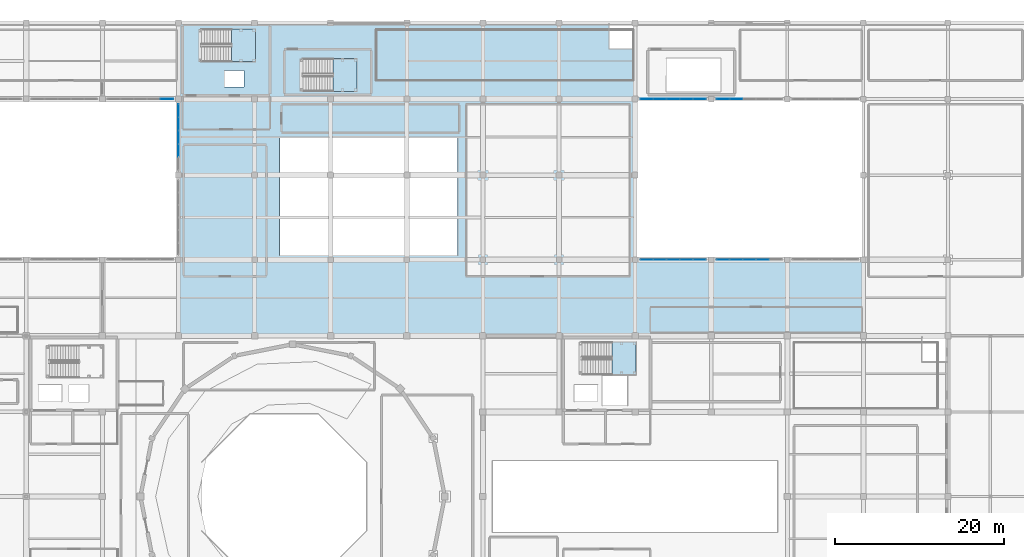
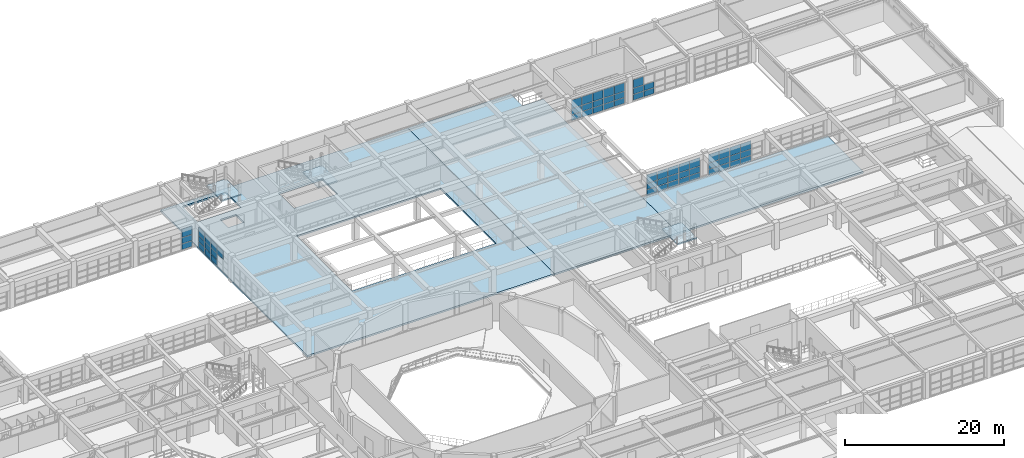
# One storey, part 97 of 130: 60 plates, 6 slabs, 9 elements without a shape of their own.
"""IFC4 building model written with IfcOpenShell, lengths in metres."""

from ifc_helpers import new_model, si_unit, direction, frame, origin, origin_2d, place, context, subcontext, project, spatial, polyline, rectangle, outline, extrude, material, layer, layer_set, type_object, element, aggregate, save


model = new_model("IFC4")

# Units and contexts
model_context = context("Model", 3, precision=1e-05, world=origin(), true_north=direction((0.0, 1.0)))
body_context = subcontext(model_context, "Body", "Model", "MODEL_VIEW")
ifc_project = project(units=[si_unit("LENGTHUNIT", "METRE"), si_unit("AREAUNIT", "SQUARE_METRE"), si_unit("VOLUMEUNIT", "CUBIC_METRE"), si_unit("PLANEANGLEUNIT", "RADIAN"), si_unit("MASSUNIT", "GRAM", prefix="KILO")], contexts=[model_context])

# Site, building, storey
site_placement = place(None, origin())
site = spatial("IfcSite", under=ifc_project, at=site_placement, CompositionType="ELEMENT")
building_placement = place(site_placement, origin())
building = spatial("IfcBuilding", under=site, at=building_placement, Name="Miravela Opera House", CompositionType="ELEMENT")
storey_placement = place(building_placement, frame((0.0, 0.0, 9.52001953125)))
storey = spatial("IfcBuildingStorey", under=building, at=storey_placement, Name="L02", CompositionType="ELEMENT", Elevation=9.52001953125)

# Curtain wall, plates
ifc_material_1 = material(Name="Anodised architectural bronze aluminium 6063-T6", Category="aluminium")
curtain_wall_type = type_object("IfcCurtainWallType", Name="ARC-CW-05", PredefinedType="NOTDEFINED", material=ifc_material_1)
curtain_wall_1_placement = place(storey_placement, origin())
curtain_wall_1 = element("IfcCurtainWall", 1, at=curtain_wall_1_placement, inside=storey, type_object=curtain_wall_type, Name="Courtyard Arcade Curtain Wall CW-L02-096", PredefinedType="NOTDEFINED")
ifc_material_2 = material(Name="Acoustic laminated low-E insulating glass", Category="glass")
ifc_layer_1 = layer(ifc_material_2, 0.028076171875)
ifc_layer_set_1 = layer_set([ifc_layer_1])
plate_type = type_object("IfcPlateType", Name="ARC-CWP-28", PredefinedType="CURTAIN_PANEL", material=ifc_layer_set_1)
plate_1_placement = place(storey_placement, frame((61.62109375, 103.0, 0.06005859375), z_axis=(0.0, 0.0, 1.0), x_axis=(1.0, 0.0, 0.0)))
plate_1 = element("IfcPlate", 2, at=plate_1_placement, type_object=plate_type, Name="CW-05 panel 5.1", PredefinedType="CURTAIN_PANEL", context=body_context, shape_type="SweptSolid", body=[
    extrude(rectangle(XDim=1.47802734375, YDim=0.028076171875, at=origin_2d()), origin(), (0.0, 0.0, 1.0), 0.860107421875),
])
plate_2_placement = place(storey_placement, frame((61.62109375, 103.0, 0.97998046875), z_axis=(0.0, 0.0, 1.0), x_axis=(1.0, 0.0, 0.0)))
plate_2 = element("IfcPlate", 3, at=plate_2_placement, type_object=plate_type, Name="CW-05 panel 5.2", PredefinedType="CURTAIN_PANEL", context=body_context, shape_type="SweptSolid", body=[
    extrude(rectangle(XDim=1.47802734375, YDim=0.028076171875, at=origin_2d()), origin(), (0.0, 0.0, 1.0), 0.898193359375),
])
plate_3_placement = place(storey_placement, frame((61.62109375, 103.0, 1.93798828125), z_axis=(0.0, 0.0, 1.0), x_axis=(1.0, 0.0, 0.0)))
plate_3 = element("IfcPlate", 4, at=plate_3_placement, type_object=plate_type, Name="CW-05 panel 5.3", PredefinedType="CURTAIN_PANEL", context=body_context, shape_type="SweptSolid", body=[
    extrude(rectangle(XDim=1.47802734375, YDim=0.028076171875, at=origin_2d()), origin(), (0.0, 0.0, 1.0), 1.291748046875),
])
aggregate(curtain_wall_1, [plate_1, plate_2, plate_3])

curtain_wall_2_placement = place(storey_placement, origin())
curtain_wall_2 = element("IfcCurtainWall", 5, at=curtain_wall_2_placement, inside=storey, type_object=curtain_wall_type, Name="Courtyard Arcade Curtain Wall CW-L02-100", PredefinedType="NOTDEFINED")
plate_4_placement = place(storey_placement, frame((63.0, 96.931884765625, 1.93798828125), z_axis=(0.0, 0.0, 1.0), x_axis=(0.0, 1.0, 0.0)))
plate_4 = element("IfcPlate", 6, at=plate_4_placement, type_object=plate_type, Name="CW-05 panel 2.3", PredefinedType="CURTAIN_PANEL", context=body_context, shape_type="SweptSolid", body=[
    extrude(rectangle(XDim=1.508056640625, YDim=0.028076171875, at=origin_2d()), origin(), (0.0, 0.0, 1.0), 1.291748046875),
])
plate_5_placement = place(storey_placement, frame((63.0, 98.5, 0.06005859375), z_axis=(0.0, 0.0, 1.0), x_axis=(0.0, 1.0, 0.0)))
plate_5 = element("IfcPlate", 7, at=plate_5_placement, type_object=plate_type, Name="CW-05 panel 3.1", PredefinedType="CURTAIN_PANEL", context=body_context, shape_type="SweptSolid", body=[
    extrude(rectangle(XDim=1.508056640625, YDim=0.028076171875, at=origin_2d()), origin(), (0.0, 0.0, 1.0), 0.860107421875),
])
plate_6_placement = place(storey_placement, frame((63.0, 98.5, 0.97998046875), z_axis=(0.0, 0.0, 1.0), x_axis=(0.0, 1.0, 0.0)))
plate_6 = element("IfcPlate", 8, at=plate_6_placement, type_object=plate_type, Name="CW-05 panel 3.2", PredefinedType="CURTAIN_PANEL", context=body_context, shape_type="SweptSolid", body=[
    extrude(rectangle(XDim=1.508056640625, YDim=0.028076171875, at=origin_2d()), origin(), (0.0, 0.0, 1.0), 0.898193359375),
])
plate_7_placement = place(storey_placement, frame((63.0, 98.5, 1.93798828125), z_axis=(0.0, 0.0, 1.0), x_axis=(0.0, 1.0, 0.0)))
plate_7 = element("IfcPlate", 9, at=plate_7_placement, type_object=plate_type, Name="CW-05 panel 3.3", PredefinedType="CURTAIN_PANEL", context=body_context, shape_type="SweptSolid", body=[
    extrude(rectangle(XDim=1.508056640625, YDim=0.028076171875, at=origin_2d()), origin(), (0.0, 0.0, 1.0), 1.291748046875),
])
plate_8_placement = place(storey_placement, frame((63.0, 100.068115234375, 0.06005859375), z_axis=(0.0, 0.0, 1.0), x_axis=(0.0, 1.0, 0.0)))
plate_8 = element("IfcPlate", 10, at=plate_8_placement, type_object=plate_type, Name="CW-05 panel 4.1", PredefinedType="CURTAIN_PANEL", context=body_context, shape_type="SweptSolid", body=[
    extrude(rectangle(XDim=1.508056640625, YDim=0.028076171875, at=origin_2d()), origin(), (0.0, 0.0, 1.0), 0.860107421875),
])
plate_9_placement = place(storey_placement, frame((63.0, 100.068115234375, 0.97998046875), z_axis=(0.0, 0.0, 1.0), x_axis=(0.0, 1.0, 0.0)))
plate_9 = element("IfcPlate", 11, at=plate_9_placement, type_object=plate_type, Name="CW-05 panel 4.2", PredefinedType="CURTAIN_PANEL", context=body_context, shape_type="SweptSolid", body=[
    extrude(rectangle(XDim=1.508056640625, YDim=0.028076171875, at=origin_2d()), origin(), (0.0, 0.0, 1.0), 0.898193359375),
])
plate_10_placement = place(storey_placement, frame((63.0, 100.068115234375, 1.93798828125), z_axis=(0.0, 0.0, 1.0), x_axis=(0.0, 1.0, 0.0)))
plate_10 = element("IfcPlate", 12, at=plate_10_placement, type_object=plate_type, Name="CW-05 panel 4.3", PredefinedType="CURTAIN_PANEL", context=body_context, shape_type="SweptSolid", body=[
    extrude(rectangle(XDim=1.508056640625, YDim=0.028076171875, at=origin_2d()), origin(), (0.0, 0.0, 1.0), 1.291748046875),
])
plate_11_placement = place(storey_placement, frame((63.0, 101.62109375, 0.06005859375), z_axis=(0.0, 0.0, 1.0), x_axis=(0.0, 1.0, 0.0)))
plate_11 = element("IfcPlate", 13, at=plate_11_placement, type_object=plate_type, Name="CW-05 panel 5.1", PredefinedType="CURTAIN_PANEL", context=body_context, shape_type="SweptSolid", body=[
    extrude(rectangle(XDim=1.47802734375, YDim=0.028076171875, at=origin_2d()), origin(), (0.0, 0.0, 1.0), 0.860107421875),
])
plate_12_placement = place(storey_placement, frame((63.0, 101.62109375, 0.97998046875), z_axis=(0.0, 0.0, 1.0), x_axis=(0.0, 1.0, 0.0)))
plate_12 = element("IfcPlate", 14, at=plate_12_placement, type_object=plate_type, Name="CW-05 panel 5.2", PredefinedType="CURTAIN_PANEL", context=body_context, shape_type="SweptSolid", body=[
    extrude(rectangle(XDim=1.47802734375, YDim=0.028076171875, at=origin_2d()), origin(), (0.0, 0.0, 1.0), 0.898193359375),
])
plate_13_placement = place(storey_placement, frame((63.0, 101.62109375, 1.93798828125), z_axis=(0.0, 0.0, 1.0), x_axis=(0.0, 1.0, 0.0)))
plate_13 = element("IfcPlate", 15, at=plate_13_placement, type_object=plate_type, Name="CW-05 panel 5.3", PredefinedType="CURTAIN_PANEL", context=body_context, shape_type="SweptSolid", body=[
    extrude(rectangle(XDim=1.47802734375, YDim=0.028076171875, at=origin_2d()), origin(), (0.0, 0.0, 1.0), 1.291748046875),
])
aggregate(curtain_wall_2, [plate_4, plate_5, plate_6, plate_7, plate_8, plate_9, plate_10, plate_11, plate_12, plate_13])

curtain_wall_3_placement = place(storey_placement, origin())
curtain_wall_3 = element("IfcCurtainWall", 16, at=curtain_wall_3_placement, inside=storey, type_object=curtain_wall_type, Name="Courtyard Arcade Curtain Wall CW-L02-180", PredefinedType="NOTDEFINED")
plate_14_placement = place(storey_placement, frame((118.37890625, 84.0, 0.06005859375), z_axis=(0.0, 0.0, 1.0), x_axis=(1.0, 0.0, 0.0)))
plate_14 = element("IfcPlate", 17, at=plate_14_placement, type_object=plate_type, Name="CW-05 panel 1.1", PredefinedType="CURTAIN_PANEL", context=body_context, shape_type="SweptSolid", body=[
    extrude(rectangle(XDim=1.47802734375, YDim=0.028076171875, at=origin_2d()), origin(), (0.0, 0.0, 1.0), 0.860107421875),
])
plate_15_placement = place(storey_placement, frame((118.37890625, 84.0, 0.97998046875), z_axis=(0.0, 0.0, 1.0), x_axis=(1.0, 0.0, 0.0)))
plate_15 = element("IfcPlate", 18, at=plate_15_placement, type_object=plate_type, Name="CW-05 panel 1.2", PredefinedType="CURTAIN_PANEL", context=body_context, shape_type="SweptSolid", body=[
    extrude(rectangle(XDim=1.47802734375, YDim=0.028076171875, at=origin_2d()), origin(), (0.0, 0.0, 1.0), 0.898193359375),
])
plate_16_placement = place(storey_placement, frame((118.37890625, 84.0, 1.93798828125), z_axis=(0.0, 0.0, 1.0), x_axis=(1.0, 0.0, 0.0)))
plate_16 = element("IfcPlate", 19, at=plate_16_placement, type_object=plate_type, Name="CW-05 panel 1.3", PredefinedType="CURTAIN_PANEL", context=body_context, shape_type="SweptSolid", body=[
    extrude(rectangle(XDim=1.47802734375, YDim=0.028076171875, at=origin_2d()), origin(), (0.0, 0.0, 1.0), 1.291748046875),
])
plate_17_placement = place(storey_placement, frame((119.931884765625, 84.0, 0.06005859375), z_axis=(0.0, 0.0, 1.0), x_axis=(1.0, 0.0, 0.0)))
plate_17 = element("IfcPlate", 20, at=plate_17_placement, type_object=plate_type, Name="CW-05 panel 2.1", PredefinedType="CURTAIN_PANEL", context=body_context, shape_type="SweptSolid", body=[
    extrude(rectangle(XDim=1.508056640625, YDim=0.028076171875, at=origin_2d()), origin(), (0.0, 0.0, 1.0), 0.860107421875),
])
plate_18_placement = place(storey_placement, frame((119.931884765625, 84.0, 0.97998046875), z_axis=(0.0, 0.0, 1.0), x_axis=(1.0, 0.0, 0.0)))
plate_18 = element("IfcPlate", 21, at=plate_18_placement, type_object=plate_type, Name="CW-05 panel 2.2", PredefinedType="CURTAIN_PANEL", context=body_context, shape_type="SweptSolid", body=[
    extrude(rectangle(XDim=1.508056640625, YDim=0.028076171875, at=origin_2d()), origin(), (0.0, 0.0, 1.0), 0.898193359375),
])
plate_19_placement = place(storey_placement, frame((119.931884765625, 84.0, 1.93798828125), z_axis=(0.0, 0.0, 1.0), x_axis=(1.0, 0.0, 0.0)))
plate_19 = element("IfcPlate", 22, at=plate_19_placement, type_object=plate_type, Name="CW-05 panel 2.3", PredefinedType="CURTAIN_PANEL", context=body_context, shape_type="SweptSolid", body=[
    extrude(rectangle(XDim=1.508056640625, YDim=0.028076171875, at=origin_2d()), origin(), (0.0, 0.0, 1.0), 1.291748046875),
])
plate_20_placement = place(storey_placement, frame((121.5, 84.0, 0.06005859375), z_axis=(0.0, 0.0, 1.0), x_axis=(1.0, 0.0, 0.0)))
plate_20 = element("IfcPlate", 23, at=plate_20_placement, type_object=plate_type, Name="CW-05 panel 3.1", PredefinedType="CURTAIN_PANEL", context=body_context, shape_type="SweptSolid", body=[
    extrude(rectangle(XDim=1.508056640625, YDim=0.028076171875, at=origin_2d()), origin(), (0.0, 0.0, 1.0), 0.860107421875),
])
plate_21_placement = place(storey_placement, frame((121.5, 84.0, 0.97998046875), z_axis=(0.0, 0.0, 1.0), x_axis=(1.0, 0.0, 0.0)))
plate_21 = element("IfcPlate", 24, at=plate_21_placement, type_object=plate_type, Name="CW-05 panel 3.2", PredefinedType="CURTAIN_PANEL", context=body_context, shape_type="SweptSolid", body=[
    extrude(rectangle(XDim=1.508056640625, YDim=0.028076171875, at=origin_2d()), origin(), (0.0, 0.0, 1.0), 0.898193359375),
])
plate_22_placement = place(storey_placement, frame((121.5, 84.0, 1.93798828125), z_axis=(0.0, 0.0, 1.0), x_axis=(1.0, 0.0, 0.0)))
plate_22 = element("IfcPlate", 25, at=plate_22_placement, type_object=plate_type, Name="CW-05 panel 3.3", PredefinedType="CURTAIN_PANEL", context=body_context, shape_type="SweptSolid", body=[
    extrude(rectangle(XDim=1.508056640625, YDim=0.028076171875, at=origin_2d()), origin(), (0.0, 0.0, 1.0), 1.291748046875),
])
plate_23_placement = place(storey_placement, frame((123.068115234375, 84.0, 0.06005859375), z_axis=(0.0, 0.0, 1.0), x_axis=(1.0, 0.0, 0.0)))
plate_23 = element("IfcPlate", 26, at=plate_23_placement, type_object=plate_type, Name="CW-05 panel 4.1", PredefinedType="CURTAIN_PANEL", context=body_context, shape_type="SweptSolid", body=[
    extrude(rectangle(XDim=1.508056640625, YDim=0.028076171875, at=origin_2d()), origin(), (0.0, 0.0, 1.0), 0.860107421875),
])
plate_24_placement = place(storey_placement, frame((123.068115234375, 84.0, 0.97998046875), z_axis=(0.0, 0.0, 1.0), x_axis=(1.0, 0.0, 0.0)))
plate_24 = element("IfcPlate", 27, at=plate_24_placement, type_object=plate_type, Name="CW-05 panel 4.2", PredefinedType="CURTAIN_PANEL", context=body_context, shape_type="SweptSolid", body=[
    extrude(rectangle(XDim=1.508056640625, YDim=0.028076171875, at=origin_2d()), origin(), (0.0, 0.0, 1.0), 0.898193359375),
])
plate_25_placement = place(storey_placement, frame((123.068115234375, 84.0, 1.93798828125), z_axis=(0.0, 0.0, 1.0), x_axis=(1.0, 0.0, 0.0)))
plate_25 = element("IfcPlate", 28, at=plate_25_placement, type_object=plate_type, Name="CW-05 panel 4.3", PredefinedType="CURTAIN_PANEL", context=body_context, shape_type="SweptSolid", body=[
    extrude(rectangle(XDim=1.508056640625, YDim=0.028076171875, at=origin_2d()), origin(), (0.0, 0.0, 1.0), 1.291748046875),
])
plate_26_placement = place(storey_placement, frame((124.62109375, 84.0, 0.06005859375), z_axis=(0.0, 0.0, 1.0), x_axis=(1.0, 0.0, 0.0)))
plate_26 = element("IfcPlate", 29, at=plate_26_placement, type_object=plate_type, Name="CW-05 panel 5.1", PredefinedType="CURTAIN_PANEL", context=body_context, shape_type="SweptSolid", body=[
    extrude(rectangle(XDim=1.47802734375, YDim=0.028076171875, at=origin_2d()), origin(), (0.0, 0.0, 1.0), 0.860107421875),
])
plate_27_placement = place(storey_placement, frame((124.62109375, 84.0, 0.97998046875), z_axis=(0.0, 0.0, 1.0), x_axis=(1.0, 0.0, 0.0)))
plate_27 = element("IfcPlate", 30, at=plate_27_placement, type_object=plate_type, Name="CW-05 panel 5.2", PredefinedType="CURTAIN_PANEL", context=body_context, shape_type="SweptSolid", body=[
    extrude(rectangle(XDim=1.47802734375, YDim=0.028076171875, at=origin_2d()), origin(), (0.0, 0.0, 1.0), 0.898193359375),
])
plate_28_placement = place(storey_placement, frame((124.62109375, 84.0, 1.93798828125), z_axis=(0.0, 0.0, 1.0), x_axis=(1.0, 0.0, 0.0)))
plate_28 = element("IfcPlate", 31, at=plate_28_placement, type_object=plate_type, Name="CW-05 panel 5.3", PredefinedType="CURTAIN_PANEL", context=body_context, shape_type="SweptSolid", body=[
    extrude(rectangle(XDim=1.47802734375, YDim=0.028076171875, at=origin_2d()), origin(), (0.0, 0.0, 1.0), 1.291748046875),
])
aggregate(curtain_wall_3, [plate_14, plate_15, plate_16, plate_17, plate_18, plate_19, plate_20, plate_21, plate_22, plate_23, plate_24, plate_25, plate_26, plate_27, plate_28])

curtain_wall_4_placement = place(storey_placement, origin())
curtain_wall_4 = element("IfcCurtainWall", 32, at=curtain_wall_4_placement, inside=storey, type_object=curtain_wall_type, Name="Courtyard Arcade Curtain Wall CW-L02-181", PredefinedType="NOTDEFINED")
plate_29_placement = place(storey_placement, frame((118.37890625, 103.0, 0.06005859375), z_axis=(0.0, 0.0, 1.0), x_axis=(1.0, 0.0, 0.0)))
plate_29 = element("IfcPlate", 33, at=plate_29_placement, type_object=plate_type, Name="CW-05 panel 1.1", PredefinedType="CURTAIN_PANEL", context=body_context, shape_type="SweptSolid", body=[
    extrude(rectangle(XDim=1.47802734375, YDim=0.028076171875, at=origin_2d()), origin(), (0.0, 0.0, 1.0), 0.860107421875),
])
plate_30_placement = place(storey_placement, frame((118.37890625, 103.0, 0.97998046875), z_axis=(0.0, 0.0, 1.0), x_axis=(1.0, 0.0, 0.0)))
plate_30 = element("IfcPlate", 34, at=plate_30_placement, type_object=plate_type, Name="CW-05 panel 1.2", PredefinedType="CURTAIN_PANEL", context=body_context, shape_type="SweptSolid", body=[
    extrude(rectangle(XDim=1.47802734375, YDim=0.028076171875, at=origin_2d()), origin(), (0.0, 0.0, 1.0), 0.898193359375),
])
plate_31_placement = place(storey_placement, frame((118.37890625, 103.0, 1.93798828125), z_axis=(0.0, 0.0, 1.0), x_axis=(1.0, 0.0, 0.0)))
plate_31 = element("IfcPlate", 35, at=plate_31_placement, type_object=plate_type, Name="CW-05 panel 1.3", PredefinedType="CURTAIN_PANEL", context=body_context, shape_type="SweptSolid", body=[
    extrude(rectangle(XDim=1.47802734375, YDim=0.028076171875, at=origin_2d()), origin(), (0.0, 0.0, 1.0), 1.291748046875),
])
plate_32_placement = place(storey_placement, frame((119.931884765625, 103.0, 0.06005859375), z_axis=(0.0, 0.0, 1.0), x_axis=(1.0, 0.0, 0.0)))
plate_32 = element("IfcPlate", 36, at=plate_32_placement, type_object=plate_type, Name="CW-05 panel 2.1", PredefinedType="CURTAIN_PANEL", context=body_context, shape_type="SweptSolid", body=[
    extrude(rectangle(XDim=1.508056640625, YDim=0.028076171875, at=origin_2d()), origin(), (0.0, 0.0, 1.0), 0.860107421875),
])
plate_33_placement = place(storey_placement, frame((119.931884765625, 103.0, 0.97998046875), z_axis=(0.0, 0.0, 1.0), x_axis=(1.0, 0.0, 0.0)))
plate_33 = element("IfcPlate", 37, at=plate_33_placement, type_object=plate_type, Name="CW-05 panel 2.2", PredefinedType="CURTAIN_PANEL", context=body_context, shape_type="SweptSolid", body=[
    extrude(rectangle(XDim=1.508056640625, YDim=0.028076171875, at=origin_2d()), origin(), (0.0, 0.0, 1.0), 0.898193359375),
])
plate_34_placement = place(storey_placement, frame((119.931884765625, 103.0, 1.93798828125), z_axis=(0.0, 0.0, 1.0), x_axis=(1.0, 0.0, 0.0)))
plate_34 = element("IfcPlate", 38, at=plate_34_placement, type_object=plate_type, Name="CW-05 panel 2.3", PredefinedType="CURTAIN_PANEL", context=body_context, shape_type="SweptSolid", body=[
    extrude(rectangle(XDim=1.508056640625, YDim=0.028076171875, at=origin_2d()), origin(), (0.0, 0.0, 1.0), 1.291748046875),
])
plate_35_placement = place(storey_placement, frame((121.5, 103.0, 0.06005859375), z_axis=(0.0, 0.0, 1.0), x_axis=(1.0, 0.0, 0.0)))
plate_35 = element("IfcPlate", 39, at=plate_35_placement, type_object=plate_type, Name="CW-05 panel 3.1", PredefinedType="CURTAIN_PANEL", context=body_context, shape_type="SweptSolid", body=[
    extrude(rectangle(XDim=1.508056640625, YDim=0.028076171875, at=origin_2d()), origin(), (0.0, 0.0, 1.0), 0.860107421875),
])
plate_36_placement = place(storey_placement, frame((121.5, 103.0, 0.97998046875), z_axis=(0.0, 0.0, 1.0), x_axis=(1.0, 0.0, 0.0)))
plate_36 = element("IfcPlate", 40, at=plate_36_placement, type_object=plate_type, Name="CW-05 panel 3.2", PredefinedType="CURTAIN_PANEL", context=body_context, shape_type="SweptSolid", body=[
    extrude(rectangle(XDim=1.508056640625, YDim=0.028076171875, at=origin_2d()), origin(), (0.0, 0.0, 1.0), 0.898193359375),
])
plate_37_placement = place(storey_placement, frame((121.5, 103.0, 1.93798828125), z_axis=(0.0, 0.0, 1.0), x_axis=(1.0, 0.0, 0.0)))
plate_37 = element("IfcPlate", 41, at=plate_37_placement, type_object=plate_type, Name="CW-05 panel 3.3", PredefinedType="CURTAIN_PANEL", context=body_context, shape_type="SweptSolid", body=[
    extrude(rectangle(XDim=1.508056640625, YDim=0.028076171875, at=origin_2d()), origin(), (0.0, 0.0, 1.0), 1.291748046875),
])
plate_38_placement = place(storey_placement, frame((123.068115234375, 103.0, 0.06005859375), z_axis=(0.0, 0.0, 1.0), x_axis=(1.0, 0.0, 0.0)))
plate_38 = element("IfcPlate", 42, at=plate_38_placement, type_object=plate_type, Name="CW-05 panel 4.1", PredefinedType="CURTAIN_PANEL", context=body_context, shape_type="SweptSolid", body=[
    extrude(rectangle(XDim=1.508056640625, YDim=0.028076171875, at=origin_2d()), origin(), (0.0, 0.0, 1.0), 0.860107421875),
])
plate_39_placement = place(storey_placement, frame((123.068115234375, 103.0, 0.97998046875), z_axis=(0.0, 0.0, 1.0), x_axis=(1.0, 0.0, 0.0)))
plate_39 = element("IfcPlate", 43, at=plate_39_placement, type_object=plate_type, Name="CW-05 panel 4.2", PredefinedType="CURTAIN_PANEL", context=body_context, shape_type="SweptSolid", body=[
    extrude(rectangle(XDim=1.508056640625, YDim=0.028076171875, at=origin_2d()), origin(), (0.0, 0.0, 1.0), 0.898193359375),
])
plate_40_placement = place(storey_placement, frame((123.068115234375, 103.0, 1.93798828125), z_axis=(0.0, 0.0, 1.0), x_axis=(1.0, 0.0, 0.0)))
plate_40 = element("IfcPlate", 44, at=plate_40_placement, type_object=plate_type, Name="CW-05 panel 4.3", PredefinedType="CURTAIN_PANEL", context=body_context, shape_type="SweptSolid", body=[
    extrude(rectangle(XDim=1.508056640625, YDim=0.028076171875, at=origin_2d()), origin(), (0.0, 0.0, 1.0), 1.291748046875),
])
plate_41_placement = place(storey_placement, frame((124.62109375, 103.0, 0.06005859375), z_axis=(0.0, 0.0, 1.0), x_axis=(1.0, 0.0, 0.0)))
plate_41 = element("IfcPlate", 45, at=plate_41_placement, type_object=plate_type, Name="CW-05 panel 5.1", PredefinedType="CURTAIN_PANEL", context=body_context, shape_type="SweptSolid", body=[
    extrude(rectangle(XDim=1.47802734375, YDim=0.028076171875, at=origin_2d()), origin(), (0.0, 0.0, 1.0), 0.860107421875),
])
plate_42_placement = place(storey_placement, frame((124.62109375, 103.0, 0.97998046875), z_axis=(0.0, 0.0, 1.0), x_axis=(1.0, 0.0, 0.0)))
plate_42 = element("IfcPlate", 46, at=plate_42_placement, type_object=plate_type, Name="CW-05 panel 5.2", PredefinedType="CURTAIN_PANEL", context=body_context, shape_type="SweptSolid", body=[
    extrude(rectangle(XDim=1.47802734375, YDim=0.028076171875, at=origin_2d()), origin(), (0.0, 0.0, 1.0), 0.898193359375),
])
plate_43_placement = place(storey_placement, frame((124.62109375, 103.0, 1.93798828125), z_axis=(0.0, 0.0, 1.0), x_axis=(1.0, 0.0, 0.0)))
plate_43 = element("IfcPlate", 47, at=plate_43_placement, type_object=plate_type, Name="CW-05 panel 5.3", PredefinedType="CURTAIN_PANEL", context=body_context, shape_type="SweptSolid", body=[
    extrude(rectangle(XDim=1.47802734375, YDim=0.028076171875, at=origin_2d()), origin(), (0.0, 0.0, 1.0), 1.291748046875),
])
aggregate(curtain_wall_4, [plate_29, plate_30, plate_31, plate_32, plate_33, plate_34, plate_35, plate_36, plate_37, plate_38, plate_39, plate_40, plate_41, plate_42, plate_43])

curtain_wall_5_placement = place(storey_placement, origin())
curtain_wall_5 = element("IfcCurtainWall", 48, at=curtain_wall_5_placement, inside=storey, type_object=curtain_wall_type, Name="Courtyard Arcade Curtain Wall CW-L02-184", PredefinedType="NOTDEFINED")
plate_44_placement = place(storey_placement, frame((127.37890625, 84.0, 0.06005859375), z_axis=(0.0, 0.0, 1.0), x_axis=(1.0, 0.0, 0.0)))
plate_44 = element("IfcPlate", 49, at=plate_44_placement, type_object=plate_type, Name="CW-05 panel 1.1", PredefinedType="CURTAIN_PANEL", context=body_context, shape_type="SweptSolid", body=[
    extrude(rectangle(XDim=1.47802734375, YDim=0.028076171875, at=origin_2d()), origin(), (0.0, 0.0, 1.0), 0.860107421875),
])
plate_45_placement = place(storey_placement, frame((127.37890625, 84.0, 0.97998046875), z_axis=(0.0, 0.0, 1.0), x_axis=(1.0, 0.0, 0.0)))
plate_45 = element("IfcPlate", 50, at=plate_45_placement, type_object=plate_type, Name="CW-05 panel 1.2", PredefinedType="CURTAIN_PANEL", context=body_context, shape_type="SweptSolid", body=[
    extrude(rectangle(XDim=1.47802734375, YDim=0.028076171875, at=origin_2d()), origin(), (0.0, 0.0, 1.0), 0.898193359375),
])
plate_46_placement = place(storey_placement, frame((127.37890625, 84.0, 1.93798828125), z_axis=(0.0, 0.0, 1.0), x_axis=(1.0, 0.0, 0.0)))
plate_46 = element("IfcPlate", 51, at=plate_46_placement, type_object=plate_type, Name="CW-05 panel 1.3", PredefinedType="CURTAIN_PANEL", context=body_context, shape_type="SweptSolid", body=[
    extrude(rectangle(XDim=1.47802734375, YDim=0.028076171875, at=origin_2d()), origin(), (0.0, 0.0, 1.0), 1.291748046875),
])
plate_47_placement = place(storey_placement, frame((128.931884765625, 84.0, 0.06005859375), z_axis=(0.0, 0.0, 1.0), x_axis=(1.0, 0.0, 0.0)))
plate_47 = element("IfcPlate", 52, at=plate_47_placement, type_object=plate_type, Name="CW-05 panel 2.1", PredefinedType="CURTAIN_PANEL", context=body_context, shape_type="SweptSolid", body=[
    extrude(rectangle(XDim=1.508056640625, YDim=0.028076171875, at=origin_2d()), origin(), (0.0, 0.0, 1.0), 0.860107421875),
])
plate_48_placement = place(storey_placement, frame((128.931884765625, 84.0, 0.97998046875), z_axis=(0.0, 0.0, 1.0), x_axis=(1.0, 0.0, 0.0)))
plate_48 = element("IfcPlate", 53, at=plate_48_placement, type_object=plate_type, Name="CW-05 panel 2.2", PredefinedType="CURTAIN_PANEL", context=body_context, shape_type="SweptSolid", body=[
    extrude(rectangle(XDim=1.508056640625, YDim=0.028076171875, at=origin_2d()), origin(), (0.0, 0.0, 1.0), 0.898193359375),
])
plate_49_placement = place(storey_placement, frame((128.931884765625, 84.0, 1.93798828125), z_axis=(0.0, 0.0, 1.0), x_axis=(1.0, 0.0, 0.0)))
plate_49 = element("IfcPlate", 54, at=plate_49_placement, type_object=plate_type, Name="CW-05 panel 2.3", PredefinedType="CURTAIN_PANEL", context=body_context, shape_type="SweptSolid", body=[
    extrude(rectangle(XDim=1.508056640625, YDim=0.028076171875, at=origin_2d()), origin(), (0.0, 0.0, 1.0), 1.291748046875),
])
plate_50_placement = place(storey_placement, frame((130.5, 84.0, 0.06005859375), z_axis=(0.0, 0.0, 1.0), x_axis=(1.0, 0.0, 0.0)))
plate_50 = element("IfcPlate", 55, at=plate_50_placement, type_object=plate_type, Name="CW-05 panel 3.1", PredefinedType="CURTAIN_PANEL", context=body_context, shape_type="SweptSolid", body=[
    extrude(rectangle(XDim=1.508056640625, YDim=0.028076171875, at=origin_2d()), origin(), (0.0, 0.0, 1.0), 0.860107421875),
])
plate_51_placement = place(storey_placement, frame((130.5, 84.0, 0.97998046875), z_axis=(0.0, 0.0, 1.0), x_axis=(1.0, 0.0, 0.0)))
plate_51 = element("IfcPlate", 56, at=plate_51_placement, type_object=plate_type, Name="CW-05 panel 3.2", PredefinedType="CURTAIN_PANEL", context=body_context, shape_type="SweptSolid", body=[
    extrude(rectangle(XDim=1.508056640625, YDim=0.028076171875, at=origin_2d()), origin(), (0.0, 0.0, 1.0), 0.898193359375),
])
plate_52_placement = place(storey_placement, frame((130.5, 84.0, 1.93798828125), z_axis=(0.0, 0.0, 1.0), x_axis=(1.0, 0.0, 0.0)))
plate_52 = element("IfcPlate", 57, at=plate_52_placement, type_object=plate_type, Name="CW-05 panel 3.3", PredefinedType="CURTAIN_PANEL", context=body_context, shape_type="SweptSolid", body=[
    extrude(rectangle(XDim=1.508056640625, YDim=0.028076171875, at=origin_2d()), origin(), (0.0, 0.0, 1.0), 1.291748046875),
])
plate_53_placement = place(storey_placement, frame((132.068115234375, 84.0, 0.06005859375), z_axis=(0.0, 0.0, 1.0), x_axis=(1.0, 0.0, 0.0)))
plate_53 = element("IfcPlate", 58, at=plate_53_placement, type_object=plate_type, Name="CW-05 panel 4.1", PredefinedType="CURTAIN_PANEL", context=body_context, shape_type="SweptSolid", body=[
    extrude(rectangle(XDim=1.508056640625, YDim=0.028076171875, at=origin_2d()), origin(), (0.0, 0.0, 1.0), 0.860107421875),
])
plate_54_placement = place(storey_placement, frame((132.068115234375, 84.0, 0.97998046875), z_axis=(0.0, 0.0, 1.0), x_axis=(1.0, 0.0, 0.0)))
plate_54 = element("IfcPlate", 59, at=plate_54_placement, type_object=plate_type, Name="CW-05 panel 4.2", PredefinedType="CURTAIN_PANEL", context=body_context, shape_type="SweptSolid", body=[
    extrude(rectangle(XDim=1.508056640625, YDim=0.028076171875, at=origin_2d()), origin(), (0.0, 0.0, 1.0), 0.898193359375),
])
plate_55_placement = place(storey_placement, frame((132.068115234375, 84.0, 1.93798828125), z_axis=(0.0, 0.0, 1.0), x_axis=(1.0, 0.0, 0.0)))
plate_55 = element("IfcPlate", 60, at=plate_55_placement, type_object=plate_type, Name="CW-05 panel 4.3", PredefinedType="CURTAIN_PANEL", context=body_context, shape_type="SweptSolid", body=[
    extrude(rectangle(XDim=1.508056640625, YDim=0.028076171875, at=origin_2d()), origin(), (0.0, 0.0, 1.0), 1.291748046875),
])
aggregate(curtain_wall_5, [plate_44, plate_45, plate_46, plate_47, plate_48, plate_49, plate_50, plate_51, plate_52, plate_53, plate_54, plate_55])

curtain_wall_6_placement = place(storey_placement, origin())
curtain_wall_6 = element("IfcCurtainWall", 61, at=curtain_wall_6_placement, inside=storey, type_object=curtain_wall_type, Name="Courtyard Arcade Curtain Wall CW-L02-185", PredefinedType="NOTDEFINED")
plate_56_placement = place(storey_placement, frame((127.37890625, 103.0, 0.06005859375), z_axis=(0.0, 0.0, 1.0), x_axis=(1.0, 0.0, 0.0)))
plate_56 = element("IfcPlate", 62, at=plate_56_placement, type_object=plate_type, Name="CW-05 panel 1.1", PredefinedType="CURTAIN_PANEL", context=body_context, shape_type="SweptSolid", body=[
    extrude(rectangle(XDim=1.47802734375, YDim=0.028076171875, at=origin_2d()), origin(), (0.0, 0.0, 1.0), 0.860107421875),
])
plate_57_placement = place(storey_placement, frame((127.37890625, 103.0, 0.97998046875), z_axis=(0.0, 0.0, 1.0), x_axis=(1.0, 0.0, 0.0)))
plate_57 = element("IfcPlate", 63, at=plate_57_placement, type_object=plate_type, Name="CW-05 panel 1.2", PredefinedType="CURTAIN_PANEL", context=body_context, shape_type="SweptSolid", body=[
    extrude(rectangle(XDim=1.47802734375, YDim=0.028076171875, at=origin_2d()), origin(), (0.0, 0.0, 1.0), 0.898193359375),
])
plate_58_placement = place(storey_placement, frame((127.37890625, 103.0, 1.93798828125), z_axis=(0.0, 0.0, 1.0), x_axis=(1.0, 0.0, 0.0)))
plate_58 = element("IfcPlate", 64, at=plate_58_placement, type_object=plate_type, Name="CW-05 panel 1.3", PredefinedType="CURTAIN_PANEL", context=body_context, shape_type="SweptSolid", body=[
    extrude(rectangle(XDim=1.47802734375, YDim=0.028076171875, at=origin_2d()), origin(), (0.0, 0.0, 1.0), 1.291748046875),
])
plate_59_placement = place(storey_placement, frame((128.931884765625, 103.0, 0.06005859375), z_axis=(0.0, 0.0, 1.0), x_axis=(1.0, 0.0, 0.0)))
plate_59 = element("IfcPlate", 65, at=plate_59_placement, type_object=plate_type, Name="CW-05 panel 2.1", PredefinedType="CURTAIN_PANEL", context=body_context, shape_type="SweptSolid", body=[
    extrude(rectangle(XDim=1.508056640625, YDim=0.028076171875, at=origin_2d()), origin(), (0.0, 0.0, 1.0), 0.860107421875),
])
plate_60_placement = place(storey_placement, frame((128.931884765625, 103.0, 0.97998046875), z_axis=(0.0, 0.0, 1.0), x_axis=(1.0, 0.0, 0.0)))
plate_60 = element("IfcPlate", 66, at=plate_60_placement, type_object=plate_type, Name="CW-05 panel 2.2", PredefinedType="CURTAIN_PANEL", context=body_context, shape_type="SweptSolid", body=[
    extrude(rectangle(XDim=1.508056640625, YDim=0.028076171875, at=origin_2d()), origin(), (0.0, 0.0, 1.0), 0.898193359375),
])
aggregate(curtain_wall_6, [plate_56, plate_57, plate_58, plate_59, plate_60])

# Stair, slab
ifc_material_3 = material(Name="Concrete C35/45", Category="concrete")
stair_type_1 = type_object("IfcStairType", Name="ARC-STAIR-CORE-1680", PredefinedType="HALF_TURN_STAIR", material=ifc_material_3)
stair_1_placement = place(storey_placement, origin())
stair_1 = element("IfcStair", 67, at=stair_1_placement, inside=storey, type_object=stair_type_1, Name="L02 Core K3 North Stage and Firefighting Core Exit Stair ST-03", PredefinedType="HALF_TURN_STAIR")
ifc_layer_2 = layer(ifc_material_3, 0.199951171875)
ifc_layer_set_2 = layer_set([ifc_layer_2])
slab_type_1 = type_object("IfcSlabType", Name="ARC-LANDING-200", PredefinedType="LANDING", material=ifc_layer_set_2)
slab_1_placement = place(storey_placement, frame((0.0, 0.0, 1.840087890625)))
slab_1 = element("IfcSlab", 68, at=slab_1_placement, type_object=slab_type_1, Name="ST-03 landing 1", PredefinedType="LANDING", context=body_context, shape_type="SweptSolid", body=[
    extrude(outline(polyline([(114.260009765625, 70.39990234375), (117.10009765625, 70.39990234375), (117.10009765625, 74.280029296875), (114.260009765625, 74.280029296875), (114.260009765625, 70.39990234375)])), origin(), (0.0, 0.0, 1.0), 0.199951171875),
])
aggregate(stair_1, [slab_1])

stair_2_placement = place(storey_placement, origin())
stair_2 = element("IfcStair", 69, at=stair_2_placement, inside=storey, type_object=stair_type_1, Name="L02 Core K5 North Rehearsal Core Exit Stair ST-05", PredefinedType="HALF_TURN_STAIR")
slab_2_placement = place(storey_placement, frame((0.0, 0.0, 1.840087890625)))
slab_2 = element("IfcSlab", 70, at=slab_2_placement, type_object=slab_type_1, Name="ST-05 landing 1", PredefinedType="LANDING", context=body_context, shape_type="SweptSolid", body=[
    extrude(outline(polyline([(69.260009765625, 107.39990234375), (72.10009765625, 107.39990234375), (72.10009765625, 111.280029296875), (69.260009765625, 111.280029296875), (69.260009765625, 107.39990234375)])), origin(), (0.0, 0.0, 1.0), 0.199951171875),
])
aggregate(stair_2, [slab_2])

stair_type_2 = type_object("IfcStairType", Name="ARC-STAIR-WING-1680", PredefinedType="HALF_TURN_STAIR", material=ifc_material_3)
stair_3_placement = place(storey_placement, origin())
stair_3 = element("IfcStair", 71, at=stair_3_placement, inside=storey, type_object=stair_type_2, Name="L02 North Wing West Exit Stair ST-07", PredefinedType="HALF_TURN_STAIR")
ifc_layer_3 = layer(ifc_material_3, 0.215087890625)
ifc_layer_set_3 = layer_set([ifc_layer_3])
slab_type_2 = type_object("IfcSlabType", Name="ARC-LANDING-215", PredefinedType="LANDING", material=ifc_layer_set_3)
slab_3_placement = place(storey_placement, frame((0.0, 0.0, 1.824951171875)))
slab_3 = element("IfcSlab", 72, at=slab_3_placement, type_object=slab_type_2, Name="ST-07 landing 1", PredefinedType="LANDING", context=body_context, shape_type="SweptSolid", body=[
    extrude(outline(polyline([(81.260009765625, 103.89990234375), (84.10009765625, 103.89990234375), (84.10009765625, 107.780029296875), (81.260009765625, 107.780029296875), (81.260009765625, 103.89990234375)])), origin(), (0.0, 0.0, 1.0), 0.215087890625),
])
aggregate(stair_3, [slab_3])

# Slabs
ifc_material_4 = material(Name="Concrete C40/50", Category="concrete")
ifc_layer_4 = layer(ifc_material_4, 0.260009765625)
ifc_layer_set_4 = layer_set([ifc_layer_4])
slab_type_3 = type_object("IfcSlabType", Name="STR-SLAB-XFER-260", PredefinedType="FLOOR", material=ifc_layer_set_4)
slab_4_placement = place(storey_placement, frame((0.0, 0.0, -0.260009765625)))
element("IfcSlab", 73, at=slab_4_placement, inside=storey, type_object=slab_type_3, Name="Level L02 Floor Slab SLAB-L02-V3M1", PredefinedType="FLOOR", context=body_context, shape_type="SweptSolid", body=[
    extrude(outline(polyline([(63.0, 75.0), (99.0, 75.0), (99.0, 112.0), (63.0, 112.0), (63.0, 75.0)]), holes=[polyline([(65.739990234375, 107.39990234375), (72.10009765625, 107.39990234375), (72.10009765625, 111.280029296875), (65.739990234375, 111.280029296875), (65.739990234375, 107.39990234375)]), polyline([(77.739990234375, 103.89990234375), (84.10009765625, 103.89990234375), (84.10009765625, 107.780029296875), (77.739990234375, 107.780029296875), (77.739990234375, 103.89990234375)]), polyline([(68.449951171875, 104.39990234375), (70.75, 104.39990234375), (70.75, 106.39990234375), (68.449951171875, 106.39990234375), (68.449951171875, 104.39990234375)]), polyline([(75.0, 84.5), (96.0, 84.5), (96.0, 98.5), (75.0, 98.5), (75.0, 84.5)])]), origin(), (0.0, 0.0, 1.0), 0.260009765625),
])
slab_5_placement = place(storey_placement, frame((0.0, 0.0, -0.260009765625)))
element("IfcSlab", 74, at=slab_5_placement, inside=storey, type_object=slab_type_3, Name="Level L02 Floor Slab SLAB-L02-V3M2", PredefinedType="FLOOR", context=body_context, shape_type="SweptSolid", body=[
    extrude(outline(polyline([(99.0, 75.0), (117.0, 75.0), (117.0, 109.0), (114.0, 109.0), (114.0, 112.0), (99.0, 112.0), (99.0, 75.0)])), origin(), (0.0, 0.0, 1.0), 0.260009765625),
])
slab_6_placement = place(storey_placement, frame((0.0, 0.0, -0.260009765625)))
element("IfcSlab", 75, at=slab_6_placement, inside=storey, type_object=slab_type_3, Name="Level L02 Floor Slab SLAB-L02-V3B", PredefinedType="FLOOR", context=body_context, shape_type="SweptSolid", body=[
    extrude(outline(polyline([(117.0, 75.0), (144.0, 75.0), (144.0, 84.0), (117.0, 84.0), (117.0, 75.0)])), origin(), (0.0, 0.0, 1.0), 0.260009765625),
])

save(model, "model.ifc")
